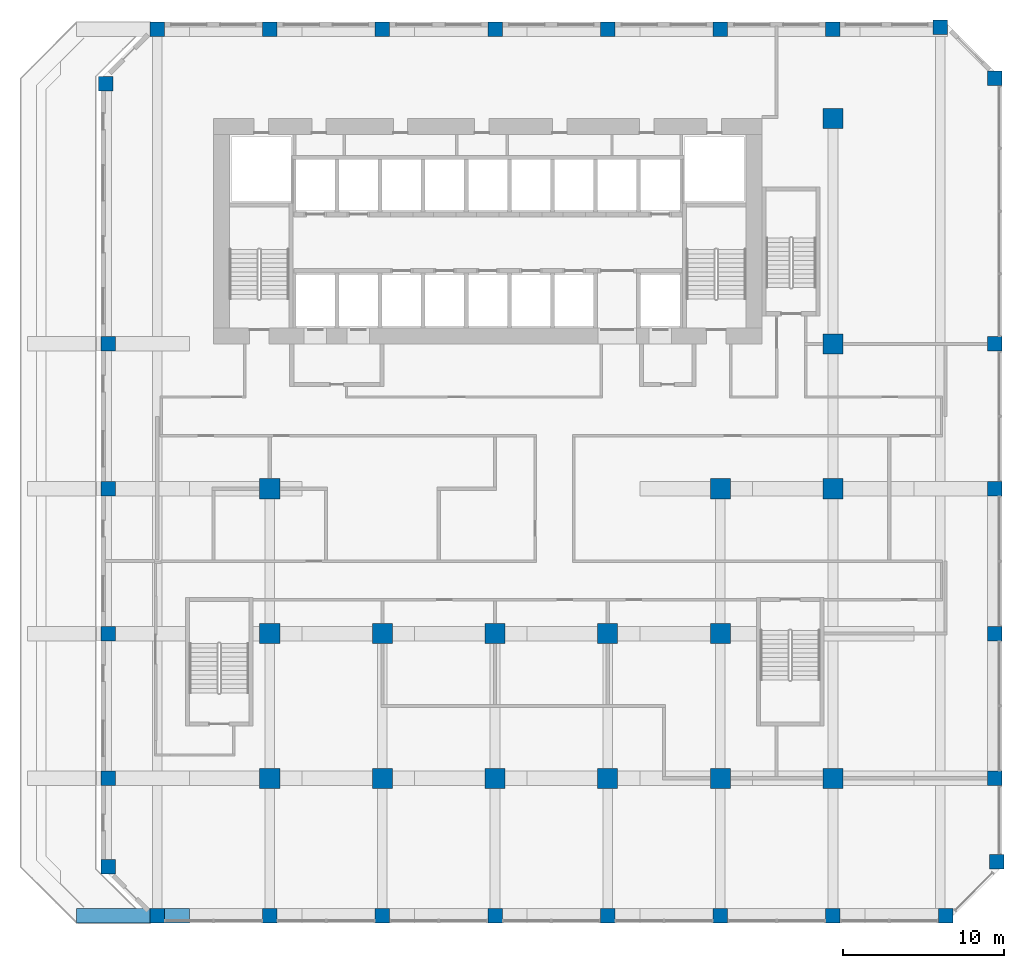
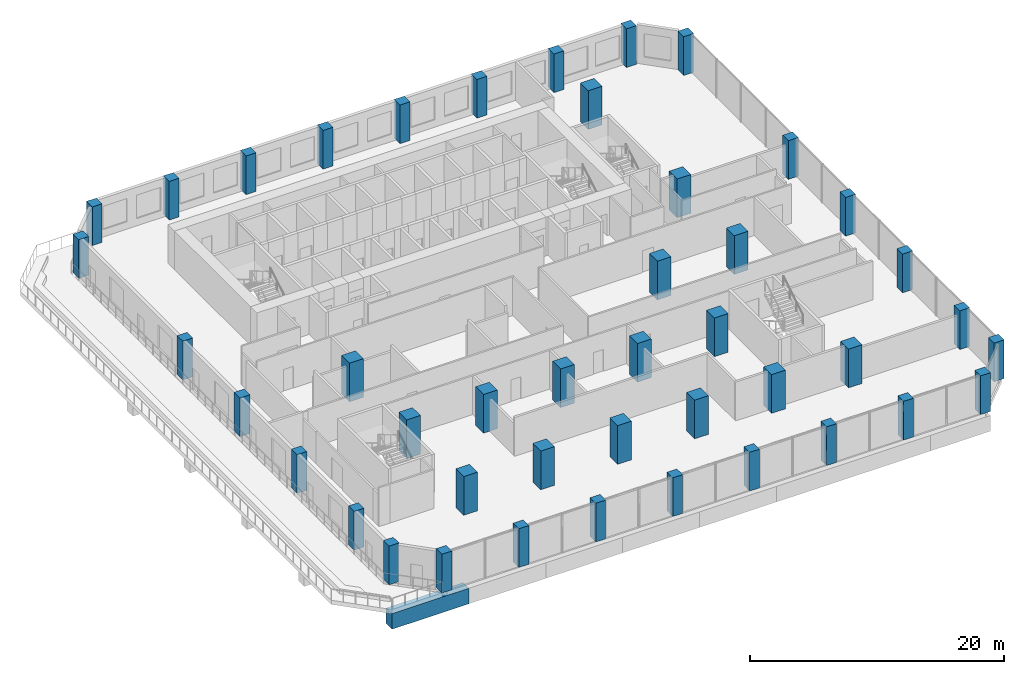
# One storey, part 1 of 20: 44 columns, 1 beam.
"""IFC4 building model written with IfcOpenShell, lengths in metres."""

from ifc_helpers import new_model, si_unit, direction, frame, origin, origin_2d, place, context, subcontext, project, spatial, rectangle, extrude, source, transform, mapped, material, material_profile, profile_set, type_object, element, save


model = new_model("IFC4")

# Units and contexts
model_context = context("Model", 3, precision=1e-05, world=origin(), true_north=direction((0.0, 1.0)))
body_context = subcontext(model_context, "Body", "Model", "MODEL_VIEW")
ifc_project = project(units=[si_unit("LENGTHUNIT", "METRE"), si_unit("AREAUNIT", "SQUARE_METRE"), si_unit("VOLUMEUNIT", "CUBIC_METRE"), si_unit("PLANEANGLEUNIT", "RADIAN"), si_unit("MASSUNIT", "GRAM", prefix="KILO")], contexts=[model_context])

# Site, building, storey
site_placement = place(None, origin())
site = spatial("IfcSite", under=ifc_project, at=site_placement, CompositionType="ELEMENT")
building_placement = place(site_placement, origin())
building = spatial("IfcBuilding", under=site, at=building_placement, Name="Kilnfold Tower and Market Hall", CompositionType="ELEMENT")
storey_placement = place(building_placement, frame((0.0, 0.0, 63.199951171875)))
storey = spatial("IfcBuildingStorey", under=building, at=storey_placement, Name="L14", CompositionType="ELEMENT", Elevation=63.199951171875)

# Columns
ifc_material_1 = material(Name="Concrete C80", Category="concrete")
ifc_material_profile_1 = material_profile(ifc_material_1, rectangle(XDim=0.89990234375, YDim=0.89990234375, at=origin_2d()), Name="RC 900x900")
ifc_profile_set_1 = profile_set([ifc_material_profile_1], Name="Concrete C80")
column_type_1 = type_object("IfcColumnType", Name="COLUMN 900X900 C80", PredefinedType="COLUMN", material=ifc_profile_set_1)
shared_shape_1 = source(origin(), body_context, "Body", "SweptSolid", [
    extrude(rectangle(XDim=0.89990234375, YDim=0.89990234375, at=origin_2d()), origin(), (0.0, 0.0, 1.0), 3.719970703125),
])
for number, where, z_axis, x_axis, name in (
    (1, (-22.681884765625, 24.181884765625, 0.0), (0.0, 0.0, 1.0), (1.0, 0.0, 0.0), "Column C-B2-1H"),
    (2, (-22.550048828125, -24.5, 0.0), (0.0, 0.0, 1.0), (1.0, 0.0, 0.0), "Column C-B2-1B"),
    (3, (-22.550048828125, -19.0, 0.0), (0.0, 0.0, 1.0), (1.0, 0.0, 0.0), "Column C-B2-1C"),
    (4, (-22.550048828125, -10.0, 0.0), (0.0, 0.0, 1.0), (1.0, 0.0, 0.0), "Column C-B2-1D"),
    (5, (-22.550048828125, -1.0, 0.0), (0.0, 0.0, 1.0), (1.0, 0.0, 0.0), "Column C-B2-1E"),
    (6, (-22.550048828125, 8.0, 0.0), (0.0, 0.0, 1.0), (1.0, 0.0, 0.0), "Column C-B2-1F"),
    (7, (-19.5, -27.550048828125, 0.0), (0.0, 0.0, 1.0), (1.0, 0.0, 0.0), "Column C-B2-2A"),
    (8, (-19.5, 27.550048828125, 0.0), (0.0, 0.0, 1.0), (1.0, 0.0, 0.0), "Column C-B2-2I"),
    (9, (-12.5, -27.550048828125, 0.0), (0.0, 0.0, 1.0), (1.0, 0.0, 0.0), "Column C-B2-3A"),
    (10, (-12.5, 27.550048828125, 0.0), (0.0, 0.0, 1.0), (1.0, 0.0, 0.0), "Column C-B2-3I"),
    (11, (-5.5, -27.550048828125, 0.0), (0.0, 0.0, 1.0), (1.0, 0.0, 0.0), "Column C-B2-4A"),
    (12, (-5.5, 27.550048828125, 0.0), (0.0, 0.0, 1.0), (1.0, 0.0, 0.0), "Column C-B2-4I"),
    (13, (1.5, -27.550048828125, 0.0), (0.0, 0.0, 1.0), (1.0, 0.0, 0.0), "Column C-B2-5A"),
    (14, (1.5, 27.550048828125, 0.0), (0.0, 0.0, 1.0), (1.0, 0.0, 0.0), "Column C-B2-5I"),
    (15, (8.5, -27.550048828125, 0.0), (0.0, 0.0, 1.0), (1.0, 0.0, 0.0), "Column C-B2-6A"),
    (16, (8.5, 27.550048828125, 0.0), (0.0, 0.0, 1.0), (1.0, 0.0, 0.0), "Column C-B2-6I"),
    (17, (15.5, -27.550048828125, 0.0), (0.0, 0.0, 1.0), (1.0, 0.0, 0.0), "Column C-B2-7A"),
    (18, (15.5, 27.550048828125, 0.0), (0.0, 0.0, 1.0), (1.0, 0.0, 0.0), "Column C-B2-7I"),
    (19, (22.5, -27.550048828125, 0.0), (0.0, 0.0, 1.0), (1.0, 0.0, 0.0), "Column C-B2-8A"),
    (20, (22.5, 27.550048828125, 0.0), (0.0, 0.0, 1.0), (1.0, 0.0, 0.0), "Column C-B2-8I"),
    (21, (29.181884765625, 27.681884765625, 0.0), (0.0, 0.0, 1.0), (1.0, 0.0, 0.0), "Column C-B2-9I"),
    (22, (29.5, -27.550048828125, 0.0), (0.0, 0.0, 1.0), (1.0, 0.0, 0.0), "Column C-B2-9A"),
    (23, (32.550048828125, -19.0, 0.0), (0.0, 0.0, 1.0), (1.0, 0.0, 0.0), "Column C-B2-10C"),
    (24, (32.550048828125, -10.0, 0.0), (0.0, 0.0, 1.0), (1.0, 0.0, 0.0), "Column C-B2-10D"),
    (25, (32.550048828125, -1.0, 0.0), (0.0, 0.0, 1.0), (1.0, 0.0, 0.0), "Column C-B2-10E"),
    (26, (32.550048828125, 8.0, 0.0), (0.0, 0.0, 1.0), (1.0, 0.0, 0.0), "Column C-B2-10F"),
    (27, (32.550048828125, 24.5, 0.0), (0.0, 0.0, 1.0), (1.0, 0.0, 0.0), "Column C-B2-10H"),
    (28, (32.681884765625, -24.181884765625, 0.0), (0.0, 0.0, 1.0), (1.0, 0.0, 0.0), "Column C-B2-10B"),
):
    element("IfcColumn", number, at=place(storey_placement, frame(where, z_axis=z_axis, x_axis=x_axis)), inside=storey, type_object=column_type_1, Name=name, PredefinedType="COLUMN", context=body_context, shape_type="MappedRepresentation", body=[
        mapped(shared_shape_1, transform((0.0, 0.0, 0.0))),
    ])
ifc_material_2 = material(Name="Concrete C80", Category="concrete")
ifc_material_profile_2 = material_profile(ifc_material_2, rectangle(XDim=1.25, YDim=1.25, at=origin_2d()), Name="RC 1250x1250")
ifc_profile_set_2 = profile_set([ifc_material_profile_2], Name="Concrete C80")
column_type_2 = type_object("IfcColumnType", Name="COLUMN 1250X1250 C80", PredefinedType="COLUMN", material=ifc_profile_set_2)
shared_shape_2 = source(origin(), body_context, "Body", "SweptSolid", [
    extrude(rectangle(XDim=1.25, YDim=1.25, at=origin_2d()), origin(), (0.0, 0.0, 1.0), 3.719970703125),
])
for number, where, z_axis, x_axis, name in (
    (29, (-12.5, -19.0, 0.0), (0.0, 0.0, 1.0), (1.0, 0.0, 0.0), "Column C-B2-3C"),
    (30, (-12.5, -10.0, 0.0), (0.0, 0.0, 1.0), (1.0, 0.0, 0.0), "Column C-B2-3D"),
    (31, (-12.5, -1.0, 0.0), (0.0, 0.0, 1.0), (1.0, 0.0, 0.0), "Column C-B2-3E"),
    (32, (-5.5, -19.0, 0.0), (0.0, 0.0, 1.0), (1.0, 0.0, 0.0), "Column C-B2-4C"),
    (33, (-5.5, -10.0, 0.0), (0.0, 0.0, 1.0), (1.0, 0.0, 0.0), "Column C-B2-4D"),
    (34, (1.5, -19.0, 0.0), (0.0, 0.0, 1.0), (1.0, 0.0, 0.0), "Column C-B2-5C"),
    (35, (1.5, -10.0, 0.0), (0.0, 0.0, 1.0), (1.0, 0.0, 0.0), "Column C-B2-5D"),
    (36, (8.5, -19.0, 0.0), (0.0, 0.0, 1.0), (1.0, 0.0, 0.0), "Column C-B2-6C"),
    (37, (8.5, -10.0, 0.0), (0.0, 0.0, 1.0), (1.0, 0.0, 0.0), "Column C-B2-6D"),
    (38, (15.5, -19.0, 0.0), (0.0, 0.0, 1.0), (1.0, 0.0, 0.0), "Column C-B2-7C"),
    (39, (15.5, -10.0, 0.0), (0.0, 0.0, 1.0), (1.0, 0.0, 0.0), "Column C-B2-7D"),
    (40, (15.5, -1.0, 0.0), (0.0, 0.0, 1.0), (1.0, 0.0, 0.0), "Column C-B2-7E"),
    (41, (22.5, -19.0, 0.0), (0.0, 0.0, 1.0), (1.0, 0.0, 0.0), "Column C-B2-8C"),
    (42, (22.5, -1.0, 0.0), (0.0, 0.0, 1.0), (1.0, 0.0, 0.0), "Column C-B2-8E"),
    (43, (22.5, 8.0, 0.0), (0.0, 0.0, 1.0), (1.0, 0.0, 0.0), "Column C-B2-8F"),
    (44, (22.5, 22.0, 0.0), (0.0, 0.0, 1.0), (1.0, 0.0, 0.0), "Column C-B2-8G"),
):
    element("IfcColumn", number, at=place(storey_placement, frame(where, z_axis=z_axis, x_axis=x_axis)), inside=storey, type_object=column_type_2, Name=name, PredefinedType="COLUMN", context=body_context, shape_type="MappedRepresentation", body=[
        mapped(shared_shape_2, transform((0.0, 0.0, 0.0))),
    ])

# Beam
ifc_material_3 = material(Name="Concrete C60", Category="concrete")
ifc_material_profile_3 = material_profile(ifc_material_3, rectangle(XDim=0.89990234375, YDim=1.5, at=origin_2d()), Name="RC 900x1500")
ifc_profile_set_3 = profile_set([ifc_material_profile_3], Name="Concrete C60")
beam_type = type_object("IfcBeamType", Name="TRANSFER GIRDER 900X1500 C60", PredefinedType="BEAM", material=ifc_profile_set_3)
shared_shape_3 = source(origin(), body_context, "Body", "SweptSolid", [
    extrude(rectangle(XDim=0.89990234375, YDim=1.5, at=origin_2d()), origin(), (0.0, 0.0, 1.0), 7.0),
])
beam_placement = place(storey_placement, frame((-24.5, -27.550048828125, -1.14990234375), z_axis=(1.0, 0.0, 0.0), x_axis=(0.0, 1.0, 0.0)))
element("IfcBeam", 45, at=beam_placement, inside=storey, type_object=beam_type, Name="Beam TG1500-B2.5", PredefinedType="BEAM", context=body_context, shape_type="MappedRepresentation", body=[
    mapped(shared_shape_3, transform((0.0, 0.0, 0.0))),
])

save(model, "model.ifc")
